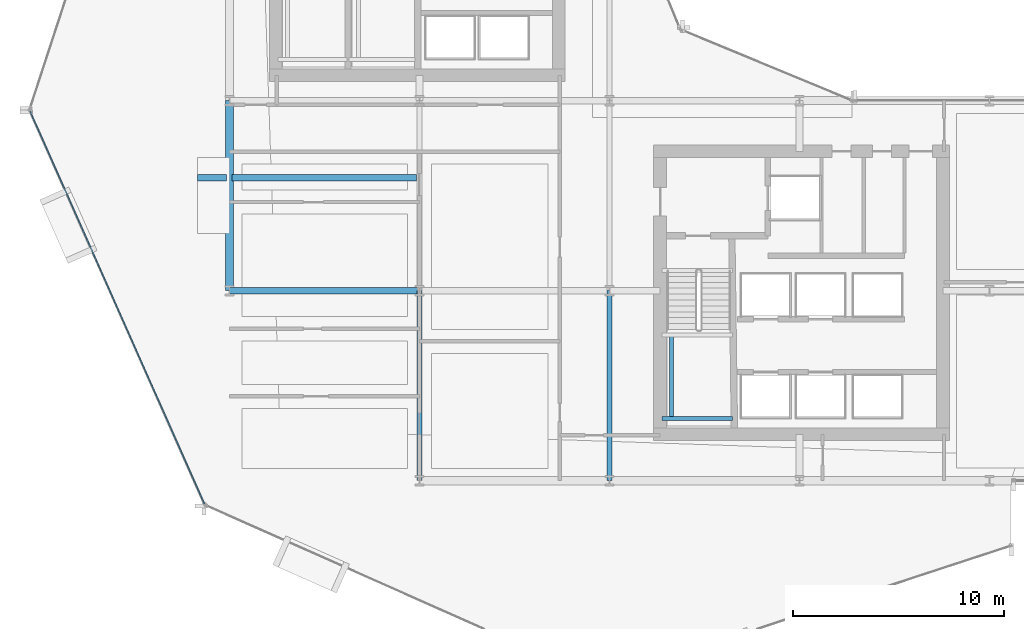
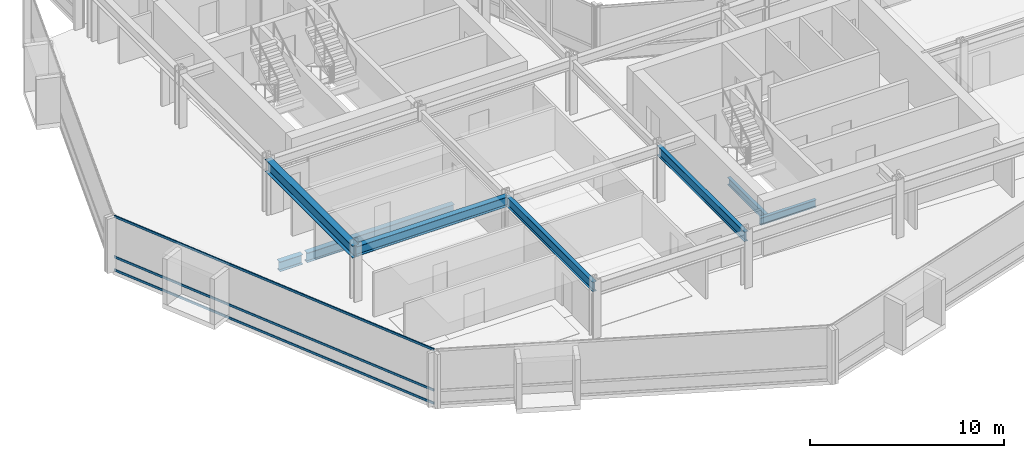
# One storey, part 5 of 34: 8 beams, 3 members, 1 element without a shape of its own.
"""IFC4 building model written with IfcOpenShell, lengths in metres."""

from ifc_helpers import new_model, si_unit, direction, frame, origin, origin_2d, place, context, subcontext, project, spatial, hollow_rectangle, i_section, extrude, material, layer, layer_set, material_profile, profile_set, type_object, element, aggregate, save


model = new_model("IFC4")

# Units and contexts
model_context = context("Model", 3, precision=1e-05, world=origin(), true_north=direction((0.0, 1.0)))
body_context = subcontext(model_context, "Body", "Model", "MODEL_VIEW")
ifc_project = project(units=[si_unit("LENGTHUNIT", "METRE"), si_unit("AREAUNIT", "SQUARE_METRE"), si_unit("VOLUMEUNIT", "CUBIC_METRE"), si_unit("PLANEANGLEUNIT", "RADIAN"), si_unit("MASSUNIT", "GRAM", prefix="KILO")], contexts=[model_context])

# Site, building, storey
site_placement = place(None, origin())
site = spatial("IfcSite", under=ifc_project, at=site_placement, CompositionType="ELEMENT")
building_placement = place(site_placement, origin())
building = spatial("IfcBuilding", under=site, at=building_placement, Name="Solvaryn Broadcast Tower", CompositionType="ELEMENT")
storey_placement = place(building_placement, frame((0.0, 0.0, 61.89990234375)))
storey = spatial("IfcBuildingStorey", under=building, at=storey_placement, Name="L14", CompositionType="ELEMENT", Elevation=61.89990234375)

# Beams
ifc_material_1 = material(Name="Steel ASTM A992 Grade 50", Category="steel")
ifc_material_profile_1 = material_profile(ifc_material_1, i_section(OverallWidth=0.323974609375, OverallDepth=0.611083984375, WebThickness=0.0126953125, FlangeThickness=0.01904296875, FilletRadius=0.014892578125, at=origin_2d()))
ifc_profile_set_1 = profile_set([ifc_material_profile_1], Name="Steel ASTM A992 Grade 50")
beam_type_1 = type_object("IfcBeamType", Name="BM-B1-W24X104", PredefinedType="BEAM", material=ifc_profile_set_1)
beam_1_placement = place(storey_placement, frame((17.875, 23.35009765625, -0.58544921875), z_axis=(-1.0, 0.0, 0.0), x_axis=(0.0, -1.0, 0.0)))
element("IfcBeam", 1, at=beam_1_placement, inside=storey, type_object=beam_type_1, Name="L14 Bay-Box Back-Span Beam 1", PredefinedType="BEAM", context=body_context, shape_type="SweptSolid", body=[
    extrude(i_section(OverallWidth=0.323974609375, OverallDepth=0.611083984375, WebThickness=0.0126953125, FlangeThickness=0.01904296875, FilletRadius=0.014892578125, at=origin_2d()), origin(), (0.0, 0.0, 1.0), 8.75),
])
beam_2_placement = place(storey_placement, frame((9.0, 18.0, 3.114501953125), z_axis=(1.0, 0.0, 0.0), x_axis=(0.0, 1.0, 0.0)))
element("IfcBeam", 2, at=beam_2_placement, inside=storey, type_object=beam_type_1, Name="L14 Primary Beam X (9-18 @ Y=18)", PredefinedType="BEAM", context=body_context, shape_type="SweptSolid", body=[
    extrude(i_section(OverallWidth=0.323974609375, OverallDepth=0.611083984375, WebThickness=0.0126953125, FlangeThickness=0.01904296875, FilletRadius=0.014892578125, at=origin_2d()), origin(), (0.0, 0.0, 1.0), 9.0),
])
ifc_material_2 = material(Name="Steel ASTM A992 Grade 50", Category="steel")
ifc_material_profile_2 = material_profile(ifc_material_2, i_section(OverallWidth=0.22802734375, OverallDepth=0.60791015625, WebThickness=0.01123046875, FlangeThickness=0.017333984375, FilletRadius=0.014892578125, at=origin_2d()))
ifc_profile_set_2 = profile_set([ifc_material_profile_2], Name="Steel ASTM A992 Grade 50")
beam_type_2 = type_object("IfcBeamType", Name="BM-B2-W24X76", PredefinedType="BEAM", material=ifc_profile_set_2)
for number, where, z_axis, x_axis, name in (
    (3, (18.0, 9.0, 3.1162109375), (0.0, 1.0, 0.0), (-1.0, 0.0, 0.0), "L14 Primary Beam Y (9-18 @ X=18)"),
    (4, (27.0, 9.0, 3.1162109375), (0.0, 1.0, 0.0), (-1.0, 0.0, 0.0), "L14 Primary Beam Y (9-18 @ X=27)"),
):
    element("IfcBeam", number, at=place(storey_placement, frame(where, z_axis=z_axis, x_axis=x_axis)), inside=storey, type_object=beam_type_2, Name=name, PredefinedType="BEAM", context=body_context, shape_type="SweptSolid", body=[
        extrude(i_section(OverallWidth=0.22802734375, OverallDepth=0.60791015625, WebThickness=0.01123046875, FlangeThickness=0.017333984375, FilletRadius=0.014892578125, at=origin_2d()), origin(), (0.0, 0.0, 1.0), 9.0),
    ])
ifc_material_3 = material(Name="Steel ASTM A992 Grade 50", Category="steel")
ifc_material_profile_3 = material_profile(ifc_material_3, i_section(OverallWidth=0.18994140625, OverallDepth=0.45703125, WebThickness=0.009033203125, FlangeThickness=0.014404296875, FilletRadius=0.011962890625, at=origin_2d()))
ifc_profile_set_3 = profile_set([ifc_material_profile_3], Name="Steel ASTM A992 Grade 50")
beam_type_3 = type_object("IfcBeamType", Name="BM-B4-W18X50", PredefinedType="BEAM", material=ifc_profile_set_3)
beam_3_placement = place(storey_placement, frame((29.5, 11.949951171875, 1.421630859375), z_axis=(1.0, 0.0, 0.0), x_axis=(0.0, 1.0, 0.0)))
element("IfcBeam", 5, at=beam_3_placement, inside=storey, type_object=beam_type_3, Name="L14 ST3 Landing Support Beam 1A", PredefinedType="BEAM", context=body_context, shape_type="SweptSolid", body=[
    extrude(i_section(OverallWidth=0.18994140625, OverallDepth=0.45703125, WebThickness=0.009033203125, FlangeThickness=0.014404296875, FilletRadius=0.011962890625, at=origin_2d()), origin(), (0.0, 0.0, 1.0), 3.320068359375),
])
beam_4_placement = place(storey_placement, frame((29.949951171875, 11.949951171875, 1.421630859375), z_axis=(0.0, 1.0, 0.0), x_axis=(-1.0, 0.0, 0.0)))
element("IfcBeam", 6, at=beam_4_placement, inside=storey, type_object=beam_type_3, Name="L14 ST3 Landing Cross Stringer 1C", PredefinedType="BEAM", context=body_context, shape_type="SweptSolid", body=[
    extrude(i_section(OverallWidth=0.18994140625, OverallDepth=0.45703125, WebThickness=0.009033203125, FlangeThickness=0.014404296875, FilletRadius=0.011962890625, at=origin_2d()), origin(), (0.0, 0.0, 1.0), 3.9599609375),
])
ifc_material_4 = material(Name="Steel ASTM A992 Grade 50", Category="steel")
ifc_material_profile_4 = material_profile(ifc_material_4, i_section(OverallWidth=0.323974609375, OverallDepth=0.611083984375, WebThickness=0.0126953125, FlangeThickness=0.01904296875, FilletRadius=0.014892578125, at=origin_2d()))
ifc_profile_set_4 = profile_set([ifc_material_profile_4], Name="Steel ASTM A992 Grade 50")
beam_type_4 = type_object("IfcBeamType", Name="BM-CANT-TER", PredefinedType="BEAM", material=ifc_profile_set_4)
beam_5_placement = place(storey_placement, frame((8.875, 23.35009765625, -0.58544921875), z_axis=(-1.0, 0.0, 0.0), x_axis=(0.0, -1.0, 0.0)))
element("IfcBeam", 7, at=beam_5_placement, inside=storey, type_object=beam_type_4, Name="L14 Bay-Box Cantilever Bracket 1", PredefinedType="BEAM", context=body_context, shape_type="SweptSolid", body=[
    extrude(i_section(OverallWidth=0.323974609375, OverallDepth=0.611083984375, WebThickness=0.0126953125, FlangeThickness=0.01904296875, FilletRadius=0.014892578125, at=origin_2d()), origin(), (0.0, 0.0, 1.0), 1.375),
])
ifc_material_5 = material(Name="Steel ASTM A992 Grade 50", Category="steel")
ifc_material_profile_5 = material_profile(ifc_material_5, i_section(OverallWidth=0.381103515625, OverallDepth=0.77294921875, WebThickness=0.0166015625, FlangeThickness=0.027099609375, FilletRadius=0.01806640625, at=origin_2d()))
ifc_profile_set_5 = profile_set([ifc_material_profile_5], Name="Steel ASTM A992 Grade 50")
beam_type_5 = type_object("IfcBeamType", Name="BM-SP1-W30X173", PredefinedType="USERDEFINED", material=ifc_profile_set_5)
beam_6_placement = place(storey_placement, frame((9.0, 18.0, 3.03369140625), z_axis=(0.0, 1.0, 0.0), x_axis=(-1.0, 0.0, 0.0)))
element("IfcBeam", 8, at=beam_6_placement, inside=storey, type_object=beam_type_5, Name="L14 Spandrel Beam Y (18-27 @ X=9)", ObjectType="SPANDREL", PredefinedType="USERDEFINED", context=body_context, shape_type="SweptSolid", body=[
    extrude(i_section(OverallWidth=0.381103515625, OverallDepth=0.77294921875, WebThickness=0.0166015625, FlangeThickness=0.027099609375, FilletRadius=0.01806640625, at=origin_2d()), origin(), (0.0, 0.0, 1.0), 9.0),
])

# Curtain wall, members
ifc_material_6 = material(Name="Aluminium and Terracotta Unitised Curtain Wall", Category="masonry")
ifc_layer = layer(ifc_material_6, 0.199951171875)
ifc_layer_set = layer_set([ifc_layer], Name="CW-SYS2-LOWMID")
curtain_wall_type = type_object("IfcCurtainWallType", Name="CW-SYS2-LOWMID", PredefinedType="NOTDEFINED", material=ifc_layer_set)
curtain_wall_placement = place(storey_placement, origin())
curtain_wall = element("IfcCurtainWall", 9, at=curtain_wall_placement, inside=storey, type_object=curtain_wall_type, Name="L14 Curtain Wall DR2", PredefinedType="NOTDEFINED")
ifc_material_7 = material(Name="Anodised Aluminium 6063-T6", Category="aluminium")
ifc_material_profile_6 = material_profile(ifc_material_7, hollow_rectangle(XDim=0.06494140625, YDim=0.14990234375, WallThickness=0.00390625, InnerFilletRadius=0.00390625, OuterFilletRadius=0.008056640625, at=origin_2d()))
ifc_profile_set_6 = profile_set([ifc_material_profile_6], Name="Anodised Aluminium 6063-T6")
member_type = type_object("IfcMemberType", Name="CW-TRN-150", PredefinedType="USERDEFINED", material=ifc_profile_set_6)
member_1_placement = place(storey_placement, frame((-0.439697265625, 26.505126953125, 0.030029296875), z_axis=(0.405905872269, -0.913914888191, 0.0), x_axis=(0.913914888191, 0.405905872269, 0.0)))
member_1 = element("IfcMember", 10, at=member_1_placement, type_object=member_type, Name="CWS2 transom 1.1", ObjectType="TRANSOM", PredefinedType="USERDEFINED", context=body_context, shape_type="SweptSolid", body=[
    extrude(hollow_rectangle(XDim=0.06494140625, YDim=0.14990234375, WallThickness=0.00390625, InnerFilletRadius=0.00390625, OuterFilletRadius=0.008056640625, at=origin_2d()), origin(), (0.0, 0.0, 1.0), 20.35546875),
])
member_2_placement = place(storey_placement, frame((-0.439697265625, 26.505126953125, 0.85009765625), z_axis=(0.405905872269, -0.913914888191, 0.0), x_axis=(0.913914888191, 0.405905872269, 0.0)))
member_2 = element("IfcMember", 11, at=member_2_placement, type_object=member_type, Name="CWS2 transom 1.2", ObjectType="TRANSOM", PredefinedType="USERDEFINED", context=body_context, shape_type="SweptSolid", body=[
    extrude(hollow_rectangle(XDim=0.06494140625, YDim=0.14990234375, WallThickness=0.00390625, InnerFilletRadius=0.00390625, OuterFilletRadius=0.008056640625, at=origin_2d()), origin(), (0.0, 0.0, 1.0), 20.35546875),
])
member_3_placement = place(storey_placement, frame((-0.439697265625, 26.505126953125, 3.39013671875), z_axis=(0.405905872269, -0.913914888191, 0.0), x_axis=(0.913914888191, 0.405905872269, 0.0)))
member_3 = element("IfcMember", 12, at=member_3_placement, type_object=member_type, Name="CWS2 transom 1.3", ObjectType="TRANSOM", PredefinedType="USERDEFINED", context=body_context, shape_type="SweptSolid", body=[
    extrude(hollow_rectangle(XDim=0.06494140625, YDim=0.14990234375, WallThickness=0.00390625, InnerFilletRadius=0.00390625, OuterFilletRadius=0.008056640625, at=origin_2d()), origin(), (0.0, 0.0, 1.0), 20.35546875),
])
aggregate(curtain_wall, [member_1, member_2, member_3])

save(model, "model.ifc")
